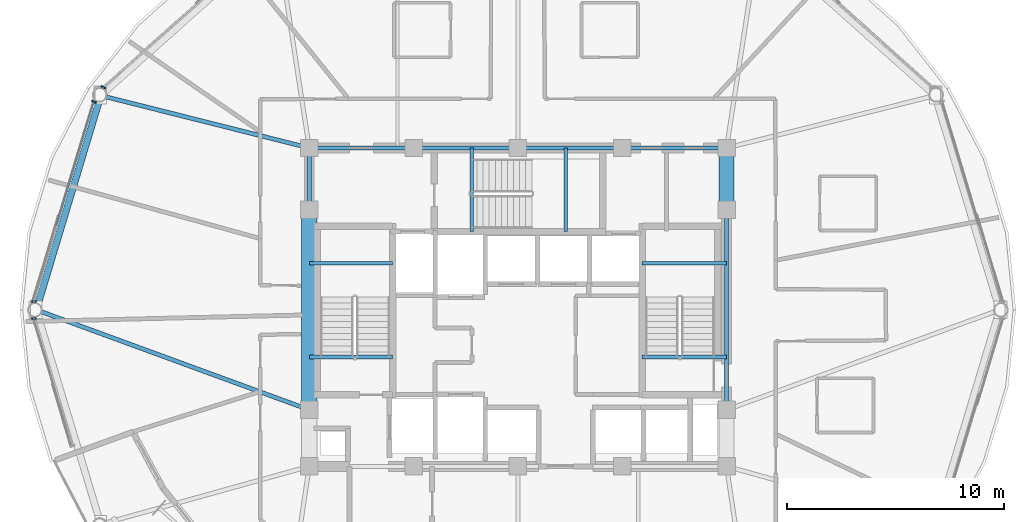
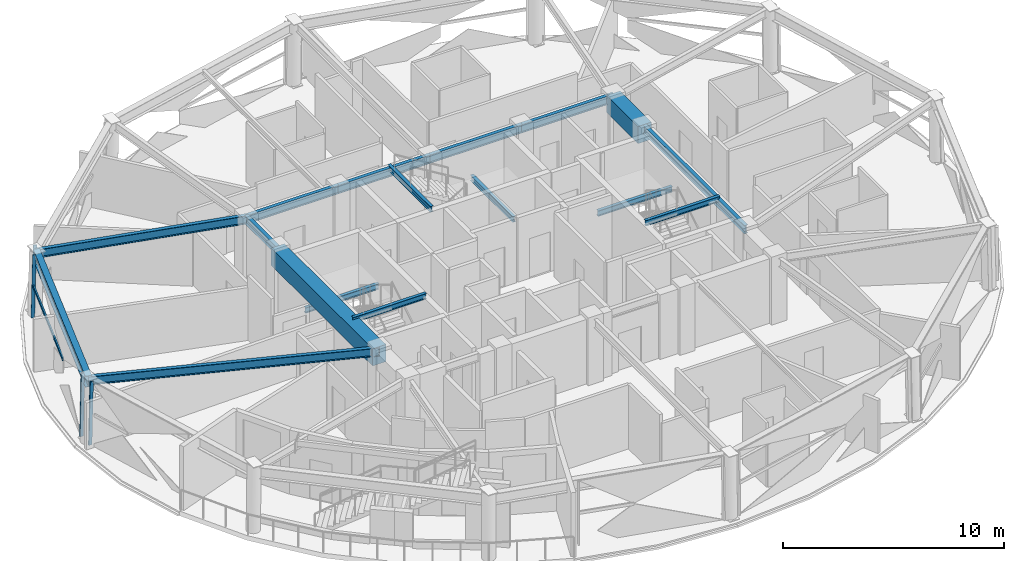
# One storey, part 4 of 17: 17 beams, 5 members, 3 elements without a shape of their own.
"""IFC4 building model written with IfcOpenShell, lengths in metres."""

from ifc_helpers import new_model, si_unit, direction, frame, origin, origin_2d, place, context, subcontext, project, spatial, rectangle, hollow_rectangle, i_section, extrude, material, layer, layer_set, material_profile, profile_set, type_object, element, aggregate, save


model = new_model("IFC4")

# Units and contexts
model_context = context("Model", 3, precision=1e-05, world=origin(), true_north=direction((0.0, 1.0)))
body_context = subcontext(model_context, "Body", "Model", "MODEL_VIEW")
ifc_project = project(units=[si_unit("LENGTHUNIT", "METRE"), si_unit("AREAUNIT", "SQUARE_METRE"), si_unit("VOLUMEUNIT", "CUBIC_METRE"), si_unit("PLANEANGLEUNIT", "RADIAN"), si_unit("MASSUNIT", "GRAM", prefix="KILO")], contexts=[model_context])

# Site, building, storey
site_placement = place(None, origin())
site = spatial("IfcSite", under=ifc_project, at=site_placement, CompositionType="ELEMENT")
building_placement = place(site_placement, origin())
building = spatial("IfcBuilding", under=site, at=building_placement, Name="Vantalir Tower", CompositionType="ELEMENT")
storey_placement = place(building_placement, frame((0.0, 0.0, 208.64990234375)))
storey = spatial("IfcBuildingStorey", under=building, at=storey_placement, Name="L52", CompositionType="ELEMENT", Elevation=208.64990234375)

# Beams
ifc_material_1 = material(Name="Concrete C60/75", Category="concrete")
ifc_material_profile_1 = material_profile(ifc_material_1, rectangle(XDim=0.699951171875, YDim=0.949951171875, at=origin_2d()), Name="Concrete C60/75")
ifc_profile_set_1 = profile_set([ifc_material_profile_1], Name="Concrete C60/75")
beam_type_1 = type_object("IfcBeamType", Name="BM-CB-700x950", PredefinedType="USERDEFINED", material=ifc_profile_set_1)
beam_1_placement = place(storey_placement, frame((41.10009765625, 29.60009765625, 3.09521484375), z_axis=(0.0, 1.0, 0.0), x_axis=(-1.0, 0.0, 0.0)))
element("IfcBeam", 1, at=beam_1_placement, inside=storey, type_object=beam_type_1, Name="L52 Core Coupling Girder 07", ObjectType="GIRDER", PredefinedType="USERDEFINED", context=body_context, shape_type="SweptSolid", body=[
    extrude(rectangle(XDim=0.699951171875, YDim=0.949951171875, at=origin_2d()), origin(), (0.0, 0.0, 1.0), 2.849853515625),
])
beam_2_placement = place(storey_placement, frame((21.89990234375, 29.60009765625, 3.09521484375), z_axis=(0.0, -1.0, 0.0), x_axis=(1.0, 0.0, 0.0)))
element("IfcBeam", 2, at=beam_2_placement, inside=storey, type_object=beam_type_1, Name="L52 Core Coupling Girder 13", ObjectType="GIRDER", PredefinedType="USERDEFINED", context=body_context, shape_type="SweptSolid", body=[
    extrude(rectangle(XDim=0.699951171875, YDim=0.949951171875, at=origin_2d()), origin(), (0.0, 0.0, 1.0), 9.2001953125),
])
ifc_material_2 = material(Name="Steel S355", Category="steel")
ifc_material_profile_2 = material_profile(ifc_material_2, i_section(OverallWidth=0.166015625, OverallDepth=0.306884765625, WebThickness=0.006591796875, FlangeThickness=0.01171875, at=origin_2d()), Name="Steel S355")
ifc_profile_set_2 = profile_set([ifc_material_profile_2], Name="Steel S355")
beam_type_2 = type_object("IfcBeamType", Name="BM-JS-305x165", PredefinedType="JOIST", material=ifc_profile_set_2)
for number, where, z_axis, x_axis, name in (
    (3, (21.89990234375, 22.8349609375, 3.59619140625), (1.0, 0.0, 0.0), (0.0, 1.0, 0.0), "L53 Stair ST1 Well Nosing Trimmer Beam"),
    (4, (21.89990234375, 27.14501953125, 1.52099609375), (1.0, 0.0, 0.0), (0.0, 1.0, 0.0), "L52 Stair ST1 Half-Landing Support Beam"),
):
    element("IfcBeam", number, at=place(storey_placement, frame(where, z_axis=z_axis, x_axis=x_axis)), inside=storey, type_object=beam_type_2, Name=name, PredefinedType="JOIST", context=body_context, shape_type="SweptSolid", body=[
        extrude(i_section(OverallWidth=0.166015625, OverallDepth=0.306884765625, WebThickness=0.006591796875, FlangeThickness=0.01171875, at=origin_2d()), origin(), (0.0, 0.0, 1.0), 3.840087890625),
    ])
for number, where, z_axis, x_axis, name in (
    (5, (37.2099609375, 22.8349609375, 3.59619140625), (1.0, 0.0, 0.0), (0.0, 1.0, 0.0), "L53 Stair ST2 Well Nosing Trimmer Beam"),
    (6, (37.2099609375, 27.14501953125, 1.52099609375), (1.0, 0.0, 0.0), (0.0, 1.0, 0.0), "L52 Stair ST2 Half-Landing Support Beam"),
):
    element("IfcBeam", number, at=place(storey_placement, frame(where, z_axis=z_axis, x_axis=x_axis)), inside=storey, type_object=beam_type_2, Name=name, PredefinedType="JOIST", context=body_context, shape_type="SweptSolid", body=[
        extrude(i_section(OverallWidth=0.166015625, OverallDepth=0.306884765625, WebThickness=0.006591796875, FlangeThickness=0.01171875, at=origin_2d()), origin(), (0.0, 0.0, 1.0), 3.89013671875),
    ])
for number, where, z_axis, x_axis, name in (
    (7, (29.385009765625, 28.60009765625, 3.59619140625), (0.0, 1.0, 0.0), (-1.0, 0.0, 0.0), "L53 Stair ST3 Well Nosing Trimmer Beam"),
    (8, (33.695068359375, 28.60009765625, 1.52099609375), (0.0, 1.0, 0.0), (-1.0, 0.0, 0.0), "L52 Stair ST3 Half-Landing Support Beam"),
):
    element("IfcBeam", number, at=place(storey_placement, frame(where, z_axis=z_axis, x_axis=x_axis)), inside=storey, type_object=beam_type_2, Name=name, PredefinedType="JOIST", context=body_context, shape_type="SweptSolid", body=[
        extrude(i_section(OverallWidth=0.166015625, OverallDepth=0.306884765625, WebThickness=0.006591796875, FlangeThickness=0.01171875, at=origin_2d()), origin(), (0.0, 0.0, 1.0), 3.849853515625),
    ])
ifc_material_profile_3 = material_profile(ifc_material_2, i_section(OverallWidth=0.19189453125, OverallDepth=0.462890625, WebThickness=0.010498046875, FlangeThickness=0.017578125, at=origin_2d()), Name="Steel S355")
ifc_profile_set_3 = profile_set([ifc_material_profile_3], Name="Steel S355")
beam_type_3 = type_object("IfcBeamType", Name="BM-RB-457x191", PredefinedType="BEAM", material=ifc_profile_set_3)
beam_3_placement = place(storey_placement, frame((41.10009765625, 20.39990234375, 3.338134765625), z_axis=(0.0, 1.0, 0.0), x_axis=(-1.0, 0.0, 0.0)))
element("IfcBeam", 9, at=beam_3_placement, inside=storey, type_object=beam_type_3, Name="L52 Core Coupling Girder 06", PredefinedType="BEAM", context=body_context, shape_type="SweptSolid", body=[
    extrude(i_section(OverallWidth=0.19189453125, OverallDepth=0.462890625, WebThickness=0.010498046875, FlangeThickness=0.017578125, at=origin_2d()), origin(), (0.0, 0.0, 1.0), 9.2001953125),
])
for number, where, z_axis, x_axis, name in (
    (10, (41.10009765625, 32.449951171875, 3.338134765625), (-1.0, 0.0, 0.0), (0.0, -1.0, 0.0), "L52 Core Coupling Girder 08"),
    (11, (36.300048828125, 32.449951171875, 3.338134765625), (-1.0, 0.0, 0.0), (0.0, -1.0, 0.0), "L52 Core Coupling Girder 09"),
    (12, (31.5, 32.449951171875, 3.338134765625), (-1.0, 0.0, 0.0), (0.0, -1.0, 0.0), "L52 Core Coupling Girder 10"),
    (13, (26.699951171875, 32.449951171875, 3.338134765625), (-1.0, 0.0, 0.0), (0.0, -1.0, 0.0), "L52 Core Coupling Girder 11"),
):
    element("IfcBeam", number, at=place(storey_placement, frame(where, z_axis=z_axis, x_axis=x_axis)), inside=storey, type_object=beam_type_3, Name=name, PredefinedType="BEAM", context=body_context, shape_type="SweptSolid", body=[
        extrude(i_section(OverallWidth=0.19189453125, OverallDepth=0.462890625, WebThickness=0.010498046875, FlangeThickness=0.017578125, at=origin_2d()), origin(), (0.0, 0.0, 1.0), 4.800048828125),
    ])
beam_4_placement = place(storey_placement, frame((21.89990234375, 32.449951171875, 3.338134765625), z_axis=(0.0, -1.0, 0.0), x_axis=(1.0, 0.0, 0.0)))
element("IfcBeam", 14, at=beam_4_placement, inside=storey, type_object=beam_type_3, Name="L52 Core Coupling Girder 12", PredefinedType="BEAM", context=body_context, shape_type="SweptSolid", body=[
    extrude(i_section(OverallWidth=0.19189453125, OverallDepth=0.462890625, WebThickness=0.010498046875, FlangeThickness=0.017578125, at=origin_2d()), origin(), (0.0, 0.0, 1.0), 2.849853515625),
])
beam_5_placement = place(storey_placement, frame((12.30810546875, 34.863037109375, 3.338134765625), z_axis=(0.969781336231, -0.243975736289, 0.0), x_axis=(0.243975736289, 0.969781336231, 0.0)))
element("IfcBeam", 15, at=beam_5_placement, inside=storey, type_object=beam_type_3, Name="L52 Radial Floor Beam 06", PredefinedType="BEAM", context=body_context, shape_type="SweptSolid", body=[
    extrude(i_section(OverallWidth=0.19189453125, OverallDepth=0.462890625, WebThickness=0.010498046875, FlangeThickness=0.017578125, at=origin_2d()), origin(), (0.0, 0.0, 1.0), 9.890625),
])
beam_6_placement = place(storey_placement, frame((9.339111328125, 25.0, 3.338134765625), z_axis=(0.939009760221, -0.343890491595, 0.0), x_axis=(0.343890491595, 0.939009760221, 0.0)))
element("IfcBeam", 16, at=beam_6_placement, inside=storey, type_object=beam_type_3, Name="L52 Radial Floor Beam 07", PredefinedType="BEAM", context=body_context, shape_type="SweptSolid", body=[
    extrude(i_section(OverallWidth=0.19189453125, OverallDepth=0.462890625, WebThickness=0.010498046875, FlangeThickness=0.017578125, at=origin_2d()), origin(), (0.0, 0.0, 1.0), 13.376708984375),
])
ifc_material_3 = material(Name="Steel S460", Category="steel")
ifc_material_profile_4 = material_profile(ifc_material_3, i_section(OverallWidth=0.306884765625, OverallDepth=0.6201171875, WebThickness=0.01416015625, FlangeThickness=0.023681640625, at=origin_2d()), Name="Steel S460")
ifc_profile_set_4 = profile_set([ifc_material_profile_4], Name="Steel S460")
beam_type_4 = type_object("IfcBeamType", Name="BM-RG-610x305", PredefinedType="USERDEFINED", material=ifc_profile_set_4)
beam_7_placement = place(storey_placement, frame((12.30810546875, 34.863037109375, 3.260009765625), z_axis=(-0.288245844001, -0.957556438763, 0.0), x_axis=(0.957556438763, -0.288245844001, 0.0)))
element("IfcBeam", 17, at=beam_7_placement, inside=storey, type_object=beam_type_4, Name="L52 Circumferential Ring Girder 06", ObjectType="GIRDER", PredefinedType="USERDEFINED", context=body_context, shape_type="SweptSolid", body=[
    extrude(i_section(OverallWidth=0.306884765625, OverallDepth=0.6201171875, WebThickness=0.01416015625, FlangeThickness=0.023681640625, at=origin_2d()), origin(), (0.0, 0.0, 1.0), 10.30029296875),
])

# Curtain wall, member
ifc_material_4 = material(Name="Champagne-silver PVDF aluminium and double-silver Low-E glass", Category="aluminium")
ifc_layer = layer(ifc_material_4, 0.2099609375)
ifc_layer_set = layer_set([ifc_layer], Name="Champagne-silver PVDF aluminium and double-silver Low-E glass")
curtain_wall_type = type_object("IfcCurtainWallType", Name="CW-DIAMOND-Z3", PredefinedType="USERDEFINED", material=ifc_layer_set)
curtain_wall_1_placement = place(storey_placement, origin())
curtain_wall_1 = element("IfcCurtainWall", 18, at=curtain_wall_1_placement, inside=storey, type_object=curtain_wall_type, Name="L52 Quilted Pyramid-Diamond Curtain Wall S05", ObjectType="UNITISED CURTAIN WALL", PredefinedType="USERDEFINED")
ifc_material_5 = material(Name="Champagne-silver PVDF aluminium 6063-T6", Category="aluminium")
ifc_material_profile_5 = material_profile(ifc_material_5, hollow_rectangle(XDim=0.070068359375, YDim=0.1650390625, WallThickness=0.00390625, at=origin_2d()), Name="Champagne-silver PVDF aluminium 6063-T6")
ifc_profile_set_5 = profile_set([ifc_material_profile_5], Name="Champagne-silver PVDF aluminium 6063-T6")
member_type_1 = type_object("IfcMemberType", Name="CWM-165x70", PredefinedType="MULLION", material=ifc_profile_set_5)
member_1_placement = place(storey_placement, frame((12.385986328125, 35.263916015625, 0.045166015625), z_axis=(0.01809640683, -0.009469050086, 0.99979140682), x_axis=(0.463621974123, 0.886033106103, 0.0)))
member_1 = element("IfcMember", 19, at=member_1_placement, type_object=member_type_1, Name="CW-L52-S05 Mullion 2", PredefinedType="MULLION", context=body_context, shape_type="SweptSolid", body=[
    extrude(hollow_rectangle(XDim=0.070068359375, YDim=0.1650390625, WallThickness=0.00390625, at=origin_2d()), origin(), (0.0, 0.0, 1.0), 3.480712890625),
])
aggregate(curtain_wall_1, [member_1])

# Curtain wall, members
curtain_wall_2_placement = place(storey_placement, origin())
curtain_wall_2 = element("IfcCurtainWall", 20, at=curtain_wall_2_placement, inside=storey, type_object=curtain_wall_type, Name="L52 Quilted Pyramid-Diamond Curtain Wall S06", ObjectType="UNITISED CURTAIN WALL", PredefinedType="USERDEFINED")
member_2_placement = place(storey_placement, frame((11.9619140625, 34.597900390625, 0.045166015625), z_axis=(0.01809640683, -0.009469050086, 0.99979140682), x_axis=(0.463621974123, 0.886033106103, 0.0)))
member_2 = element("IfcMember", 21, at=member_2_placement, type_object=member_type_1, Name="CW-L52-S06 Mullion 1", PredefinedType="MULLION", context=body_context, shape_type="SweptSolid", body=[
    extrude(hollow_rectangle(XDim=0.070068359375, YDim=0.1650390625, WallThickness=0.00390625, at=origin_2d()), origin(), (0.0, 0.0, 1.0), 3.480712890625),
])
member_3_placement = place(storey_placement, frame((9.194091796875, 25.39306640625, 0.045166015625), z_axis=(0.020971954486, 0.0, 0.999780064377), x_axis=(0.0, 1.0, 0.0)))
member_3 = element("IfcMember", 22, at=member_3_placement, type_object=member_type_1, Name="CW-L52-S06 Mullion 2", PredefinedType="MULLION", context=body_context, shape_type="SweptSolid", body=[
    extrude(hollow_rectangle(XDim=0.070068359375, YDim=0.1650390625, WallThickness=0.00390625, at=origin_2d()), origin(), (0.0, 0.0, 1.0), 3.480712890625),
])

# Curtain wall, member
curtain_wall_3_placement = place(storey_placement, origin())
curtain_wall_3 = element("IfcCurtainWall", 23, at=curtain_wall_3_placement, inside=storey, type_object=curtain_wall_type, Name="L52 Quilted Pyramid-Diamond Curtain Wall S07", ObjectType="UNITISED CURTAIN WALL", PredefinedType="USERDEFINED")
member_4_placement = place(storey_placement, frame((9.194091796875, 24.60693359375, 0.045166015625), z_axis=(0.020971954486, 0.0, 0.999780064377), x_axis=(0.0, 1.0, 0.0)))
member_4 = element("IfcMember", 24, at=member_4_placement, type_object=member_type_1, Name="CW-L52-S07 Mullion 1", PredefinedType="MULLION", context=body_context, shape_type="SweptSolid", body=[
    extrude(hollow_rectangle(XDim=0.070068359375, YDim=0.1650390625, WallThickness=0.00390625, at=origin_2d()), origin(), (0.0, 0.0, 1.0), 3.480712890625),
])
aggregate(curtain_wall_3, [member_4])

# Member
ifc_material_profile_6 = material_profile(ifc_material_5, hollow_rectangle(XDim=0.074951171875, YDim=0.159912109375, WallThickness=0.00390625, at=origin_2d()), Name="Champagne-silver PVDF aluminium 6063-T6")
ifc_profile_set_6 = profile_set([ifc_material_profile_6], Name="Champagne-silver PVDF aluminium 6063-T6")
member_type_2 = type_object("IfcMemberType", Name="CWT-160x75", PredefinedType="USERDEFINED", material=ifc_profile_set_6)
member_5_placement = place(storey_placement, frame((11.992919921875, 34.58203125, 1.78515625), z_axis=(-0.291646356958, -0.956526216302, 0.0), x_axis=(0.956526216302, -0.291646356958, 0.0)))
member_5 = element("IfcMember", 25, at=member_5_placement, type_object=member_type_2, Name="CW-L52-S06 Pyramid Fold Ridge Transom", ObjectType="TRANSOM", PredefinedType="USERDEFINED", context=body_context, shape_type="SweptSolid", body=[
    extrude(hollow_rectangle(XDim=0.074951171875, YDim=0.159912109375, WallThickness=0.00390625, at=origin_2d()), origin(), (0.0, 0.0, 1.0), 5.951904296875),
])

aggregate(curtain_wall_2, [member_2, member_3, member_5])

save(model, "model.ifc")
